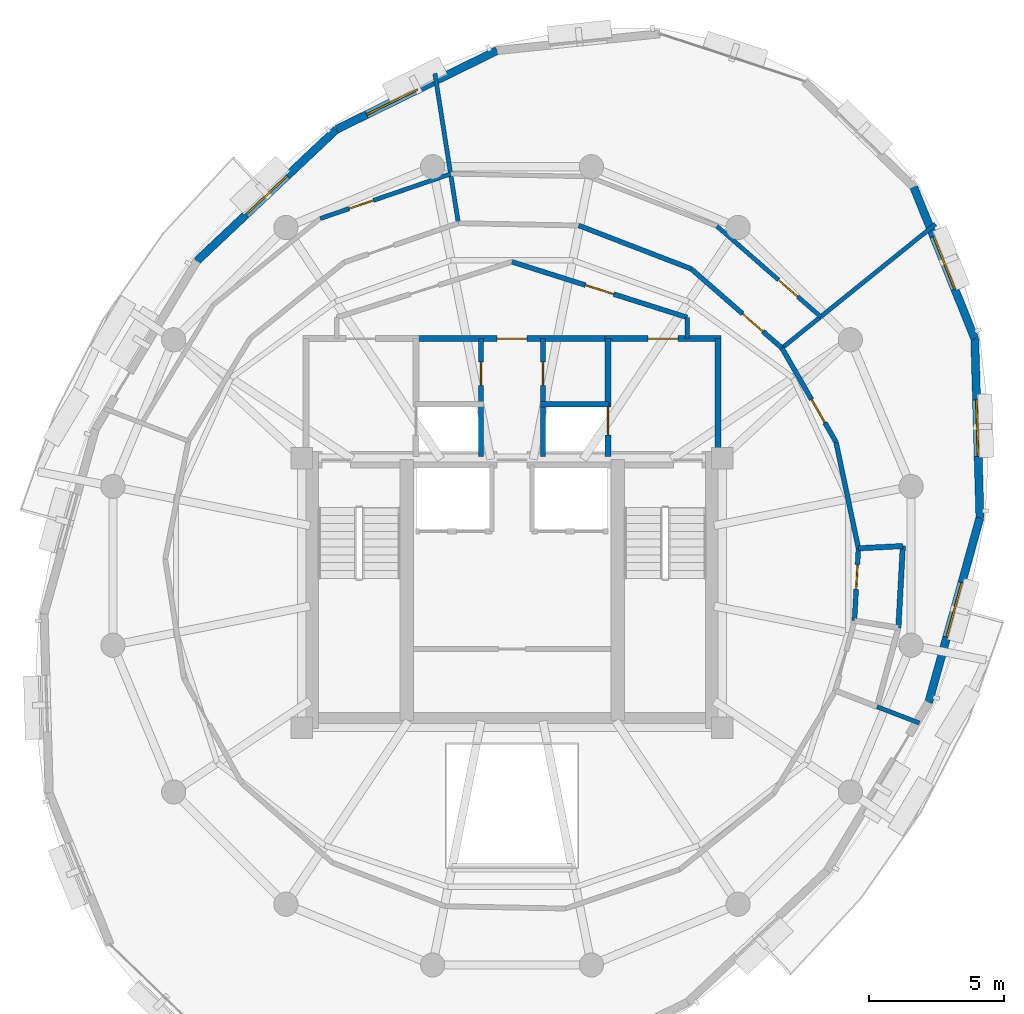
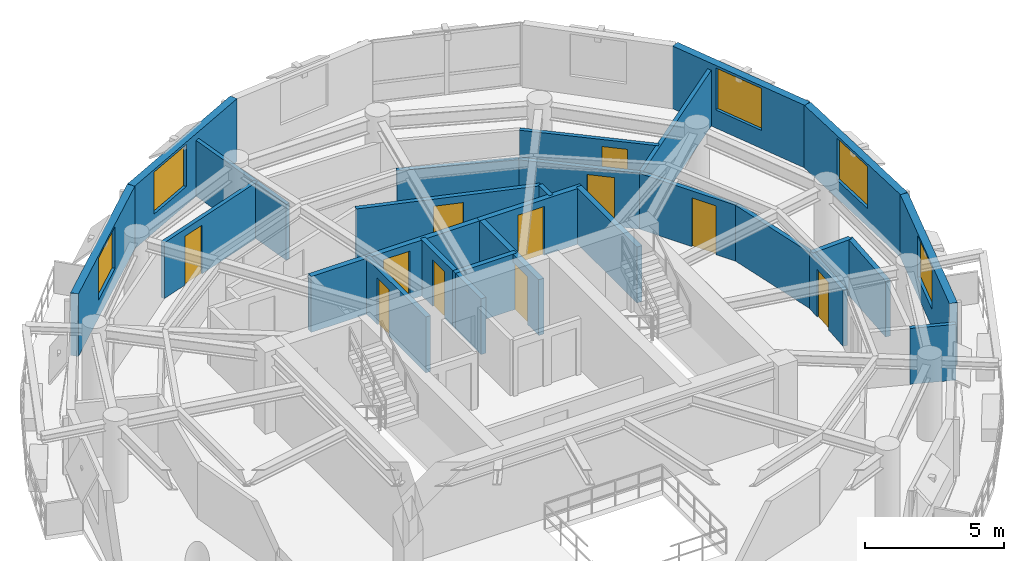
# One storey, part 8 of 11: 26 walls, 11 doors, 5 windows, 16 openings.
"""IFC4 building model written with IfcOpenShell, lengths in metres."""

from ifc_helpers import new_model, si_unit, direction, frame, frame_2d, origin, place, context, subcontext, project, spatial, rectangle, extrude, material, layer, layer_set, type_object, element, fill, save


model = new_model("IFC4")

# Units and contexts
model_context = context("Model", 3, precision=1e-05, world=origin(), true_north=direction((0.0, 1.0)))
body_context = subcontext(model_context, "Body", "Model", "MODEL_VIEW")
ifc_project = project(units=[si_unit("LENGTHUNIT", "METRE"), si_unit("AREAUNIT", "SQUARE_METRE"), si_unit("VOLUMEUNIT", "CUBIC_METRE"), si_unit("PLANEANGLEUNIT", "RADIAN"), si_unit("MASSUNIT", "GRAM", prefix="KILO"), si_unit("THERMODYNAMICTEMPERATUREUNIT", "KELVIN"), si_unit("POWERUNIT", "WATT")], contexts=[model_context])

# Site, building, storey
site_placement = place(None, origin())
site = spatial("IfcSite", under=ifc_project, at=site_placement, CompositionType="ELEMENT")
building_placement = place(site_placement, origin())
building = spatial("IfcBuilding", under=site, at=building_placement, Name="Ocrelia Relay Tower", CompositionType="ELEMENT")
storey_placement = place(building_placement, frame((0.0, 0.0, 273.60009765625)))
storey = spatial("IfcBuildingStorey", under=building, at=storey_placement, Name="L68", CompositionType="ELEMENT", Elevation=273.60009765625)

# Wall
ifc_material_1 = material(Name="Gypsum Fireboard Partition EI60", Category="gypsum")
ifc_layer_1 = layer(ifc_material_1, 0.179931640625, Name="Gypsum Fireboard Partition EI60")
ifc_layer_set_1 = layer_set([ifc_layer_1], Name="Gypsum Fireboard Partition EI60")
wall_type_1 = type_object("IfcWallType", Name="W-CORR-EI60-180", PredefinedType="PARTITIONING", material=ifc_layer_set_1)
wall_1_placement = place(storey_placement, frame((40.5, 35.218994140625, 0.0), z_axis=(0.0, 0.0, 1.0), x_axis=(0.0, -1.0, 0.0)))
element("IfcWall", 1, at=wall_1_placement, inside=storey, type_object=wall_type_1, Name="L68 Smoke Lobby East Return", PredefinedType="PARTITIONING", context=body_context, shape_type="SweptSolid", body=[
    extrude(rectangle(XDim=0.7890625, YDim=0.179931640625, at=frame_2d((0.39453125, 0.0))), origin(), (0.0, 0.0, 1.0), 2.4599609375),
])

# Wall, opening, door
wall_2_placement = place(storey_placement, frame((34.0, 37.280029296875, 0.0), z_axis=(0.0, 0.0, 1.0), x_axis=(0.953228121756, -0.302251795518, 0.0)))
wall_2 = element("IfcWall", 2, at=wall_2_placement, inside=storey, type_object=wall_type_1, Name="L68 North Smoke Lobby E Screen Wall", PredefinedType="PARTITIONING", context=body_context, shape_type="SweptSolid", body=[
    extrude(rectangle(XDim=6.81884765625, YDim=0.179931640625, at=frame_2d((3.409423828125, 0.0))), origin(), (0.0, 0.0, 1.0), 2.4599609375),
])
opening_1_placement = place(wall_2_placement, frame((2.859619140625, 0.0, 0.0)))
opening_1 = element("IfcOpeningElement", 3, at=opening_1_placement, cuts=wall_2, Name="Opening D-FD60", PredefinedType="OPENING", context=body_context, shape_type="SweptSolid", body=[
    extrude(rectangle(XDim=1.10009765625, YDim=2.14990234375, at=frame_2d((0.550048828125, 1.074951171875))), frame((0.0, 0.10009765625, 0.0), z_axis=(0.0, -1.0, 0.0), x_axis=(1.0, 0.0, 0.0)), (0.0, 0.0, 1.0), 0.199951171875),
])
ifc_material_2 = material(Name="Timber-core 60-min acoustic fire door", Category="wood")
door_type_1 = type_object("IfcDoorType", Name="DR-LOBBY-FD60-1100", OperationType="NOTDEFINED", PredefinedType="DOOR", material=ifc_material_2)
door_1_placement = place(opening_1_placement, origin())
door_1 = element("IfcDoor", 4, at=door_1_placement, inside=storey, type_object=door_type_1, Name="L68 North Smoke Lobby E Fire Door", OperationType="SINGLE_SWING_RIGHT", OverallHeight=2.14990234375, OverallWidth=1.10009765625, PredefinedType="DOOR", context=body_context, shape_type="SweptSolid", body=[
    extrude(rectangle(XDim=1.10009765625, YDim=2.14990234375, at=frame_2d((0.550048828125, 1.074951171875))), frame((0.0, 0.02490234375, 0.0), z_axis=(0.0, -1.0, 0.0), x_axis=(1.0, 0.0, 0.0)), (0.0, 0.0, 1.0), 0.050048828125),
])
fill(opening_1, door_1)

wall_3_placement = place(storey_placement, frame((46.7080078125, 23.964599609375, 0.0), z_axis=(0.0, 0.0, 1.0), x_axis=(0.054082853969, 0.998536451466, 0.0)))
wall_3 = element("IfcWall", 5, at=wall_3_placement, inside=storey, type_object=wall_type_1, Name="L68 Accessible Toilet Corridor Wall", PredefinedType="PARTITIONING", context=body_context, shape_type="SweptSolid", body=[
    extrude(rectangle(XDim=2.6904296875, YDim=0.179931640625, at=frame_2d((1.34521484375, 0.0))), origin(), (0.0, 0.0, 1.0), 2.4599609375),
])
opening_2_placement = place(wall_3_placement, frame((1.16748046875, 0.0, 0.0)))
opening_2 = element("IfcOpeningElement", 6, at=opening_2_placement, cuts=wall_3, Name="Opening D-WC92", PredefinedType="OPENING", context=body_context, shape_type="SweptSolid", body=[
    extrude(rectangle(XDim=0.919921875, YDim=2.10009765625, at=frame_2d((0.4599609375, 1.050048828125))), frame((0.0, 0.10009765625, 0.0), z_axis=(0.0, -1.0, 0.0), x_axis=(1.0, 0.0, 0.0)), (0.0, 0.0, 1.0), 0.199951171875),
])
ifc_material_3 = material(Name="Laminate washroom door", Category="wood")
door_type_2 = type_object("IfcDoorType", Name="DR-WC-920", OperationType="NOTDEFINED", PredefinedType="DOOR", material=ifc_material_3)
door_2_placement = place(opening_2_placement, origin())
door_2 = element("IfcDoor", 7, at=door_2_placement, inside=storey, type_object=door_type_2, Name="L68 Accessible Toilet Door", OperationType="SINGLE_SWING_RIGHT", OverallHeight=2.10009765625, OverallWidth=0.919921875, PredefinedType="DOOR", context=body_context, shape_type="SweptSolid", body=[
    extrude(rectangle(XDim=0.919921875, YDim=2.10009765625, at=frame_2d((0.4599609375, 1.050048828125))), frame((0.0, 0.02490234375, 0.0), z_axis=(0.0, -1.0, 0.0), x_axis=(1.0, 0.0, 0.0)), (0.0, 0.0, 1.0), 0.050048828125),
])
fill(opening_2, door_2)

# Wall
wall_4_placement = place(storey_placement, frame((46.853515625, 26.651123046875, 0.0), z_axis=(0.0, 0.0, 1.0), x_axis=(-0.206202981662, 0.978509238768, 0.0)))
element("IfcWall", 8, at=wall_4_placement, inside=storey, type_object=wall_type_1, Name="L68 RF Calibration Laboratory Corridor Partition 1", PredefinedType="PARTITIONING", context=body_context, shape_type="SweptSolid", body=[
    extrude(rectangle(XDim=4.026611328125, YDim=0.179931640625, at=frame_2d((2.01318359375, 0.0))), origin(), (0.0, 0.0, 1.0), 2.4599609375),
])

# Wall, opening, door
wall_5_placement = place(storey_placement, frame((46.023193359375, 30.59130859375, 0.0), z_axis=(0.0, 0.0, 1.0), x_axis=(-0.498481377227, 0.86690040752, 0.0)))
wall_5 = element("IfcWall", 9, at=wall_5_placement, inside=storey, type_object=wall_type_1, Name="L68 RF Calibration Laboratory Corridor Partition 2", PredefinedType="PARTITIONING", context=body_context, shape_type="SweptSolid", body=[
    extrude(rectangle(XDim=4.0263671875, YDim=0.179931640625, at=frame_2d((2.01318359375, 0.0))), origin(), (0.0, 0.0, 1.0), 2.4599609375),
])
opening_3_placement = place(wall_5_placement, frame((0.831787109375, 0.0, 0.0)))
opening_3 = element("IfcOpeningElement", 10, at=opening_3_placement, cuts=wall_5, Name="Opening D-RM100", PredefinedType="OPENING", context=body_context, shape_type="SweptSolid", body=[
    extrude(rectangle(XDim=1.0, YDim=2.14990234375, at=frame_2d((0.5, 1.074951171875))), frame((0.0, 0.10009765625, 0.0), z_axis=(0.0, -1.0, 0.0), x_axis=(1.0, 0.0, 0.0)), (0.0, 0.0, 1.0), 0.199951171875),
])
ifc_material_4 = material(Name="Acoustic oak veneer fire door", Category="wood")
door_type_3 = type_object("IfcDoorType", Name="DR-ROOM-FD60-1000", OperationType="NOTDEFINED", PredefinedType="DOOR", material=ifc_material_4)
door_3_placement = place(opening_3_placement, origin())
door_3 = element("IfcDoor", 11, at=door_3_placement, inside=storey, type_object=door_type_3, Name="L68 RF Calibration Laboratory Entrance Door", OperationType="SINGLE_SWING_LEFT", OverallHeight=2.14990234375, OverallWidth=1.0, PredefinedType="DOOR", context=body_context, shape_type="SweptSolid", body=[
    extrude(rectangle(XDim=1.0, YDim=2.14990234375, at=frame_2d((0.5, 1.074951171875))), frame((0.0, 0.02490234375, 0.0), z_axis=(0.0, -1.0, 0.0), x_axis=(1.0, 0.0, 0.0)), (0.0, 0.0, 1.0), 0.050048828125),
])
fill(opening_3, door_3)

wall_6_placement = place(storey_placement, frame((44.01611328125, 34.081787109375, 0.0), z_axis=(0.0, 0.0, 1.0), x_axis=(-0.753560422162, 0.657378650514, 0.0)))
wall_6 = element("IfcWall", 12, at=wall_6_placement, inside=storey, type_object=wall_type_1, Name="L68 Spectrum Metrology Lab Corridor Partition 1", PredefinedType="PARTITIONING", context=body_context, shape_type="SweptSolid", body=[
    extrude(rectangle(XDim=4.469970703125, YDim=0.179931640625, at=frame_2d((2.23486328125, 0.0))), origin(), (0.0, 0.0, 1.0), 2.4599609375),
])
opening_4_placement = place(wall_6_placement, frame((0.9423828125, 0.0, 0.0)))
opening_4 = element("IfcOpeningElement", 13, at=opening_4_placement, cuts=wall_6, Name="Opening D-RM100", PredefinedType="OPENING", context=body_context, shape_type="SweptSolid", body=[
    extrude(rectangle(XDim=1.0, YDim=2.14990234375, at=frame_2d((0.5, 1.074951171875))), frame((0.0, 0.10009765625, 0.0), z_axis=(0.0, -1.0, 0.0), x_axis=(1.0, 0.0, 0.0)), (0.0, 0.0, 1.0), 0.199951171875),
])
door_4_placement = place(opening_4_placement, origin())
door_4 = element("IfcDoor", 14, at=door_4_placement, inside=storey, type_object=door_type_3, Name="L68 Spectrum Metrology Lab Entrance Door", OperationType="SINGLE_SWING_RIGHT", OverallHeight=2.14990234375, OverallWidth=1.0, PredefinedType="DOOR", context=body_context, shape_type="SweptSolid", body=[
    extrude(rectangle(XDim=1.0, YDim=2.14990234375, at=frame_2d((0.5, 1.074951171875))), frame((0.0, 0.02490234375, 0.0), z_axis=(0.0, -1.0, 0.0), x_axis=(1.0, 0.0, 0.0)), (0.0, 0.0, 1.0), 0.050048828125),
])
fill(opening_4, door_4)

# Wall
wall_7_placement = place(storey_placement, frame((40.647705078125, 37.020263671875, 0.0), z_axis=(0.0, 0.0, 1.0), x_axis=(-0.932964972783, 0.359967164557, 0.0)))
element("IfcWall", 15, at=wall_7_placement, inside=storey, type_object=wall_type_1, Name="L68 Spectrum Metrology Lab Corridor Partition 2", PredefinedType="PARTITIONING", context=body_context, shape_type="SweptSolid", body=[
    extrude(rectangle(XDim=4.469482421875, YDim=0.179931640625, at=frame_2d((2.23486328125, 0.0))), origin(), (0.0, 0.0, 1.0), 2.4599609375),
])

# Wall, opening, window
ifc_material_5 = material(Name="Precast concrete C40/50 with oxide terracotta", Category="masonry")
ifc_layer_2 = layer(ifc_material_5, 0.300048828125, Name="Precast concrete C40/50 with oxide terracotta")
ifc_layer_set_2 = layer_set([ifc_layer_2], Name="Precast concrete C40/50 with oxide terracotta")
wall_type_2 = type_object("IfcWallType", Name="W-EXT-TERR-300", PredefinedType="SOLIDWALL", material=ifc_layer_set_2)
wall_8_placement = place(storey_placement, frame((33.447998046875, 45.120361328125, 0.0), z_axis=(0.0, 0.0, 1.0), x_axis=(-0.897666817596, -0.440674805936, 0.0)))
wall_8 = element("IfcWall", 16, at=wall_8_placement, inside=storey, type_object=wall_type_2, Name="L68 Oxide Terracotta Facade Wall 03", PredefinedType="SOLIDWALL", context=body_context, shape_type="SweptSolid", body=[
    extrude(rectangle(XDim=6.643310546875, YDim=0.300048828125, at=frame_2d((3.32177734375, 0.0))), origin(), (0.0, 0.0, 1.0), 2.760009765625),
])
opening_5_placement = place(wall_8_placement, frame((3.2919921875, 0.0, 0.800048828125)))
opening_5 = element("IfcOpeningElement", 17, at=opening_5_placement, cuts=wall_8, Name="Opening W-07", PredefinedType="OPENING", context=body_context, shape_type="SweptSolid", body=[
    extrude(rectangle(XDim=2.10009765625, YDim=1.85009765625, at=frame_2d((1.050048828125, 0.925048828125))), frame((0.0, 0.16015625, 0.0), z_axis=(0.0, -1.0, 0.0), x_axis=(1.0, 0.0, 0.0)), (0.0, 0.0, 1.0), 0.320068359375),
])
ifc_material_6 = material(Name="Clear double-glazed low-E glass", Category="glass")
window_type = type_object("IfcWindowType", Name="WIN-Z4-2100x2200", PartitioningType="DOUBLE_PANEL_VERTICAL", PredefinedType="WINDOW", material=ifc_material_6)
window_1_placement = place(opening_5_placement, origin())
window_1 = element("IfcWindow", 18, at=window_1_placement, inside=storey, type_object=window_type, Name="L68 Facade Module Window 03", OverallHeight=1.85009765625, OverallWidth=2.10009765625, PartitioningType="SINGLE_PANEL", PredefinedType="WINDOW", context=body_context, shape_type="SweptSolid", body=[
    extrude(rectangle(XDim=2.10009765625, YDim=1.85009765625, at=frame_2d((1.050048828125, 0.925048828125))), frame((0.0, 0.030029296875, 0.0), z_axis=(0.0, -1.0, 0.0), x_axis=(1.0, 0.0, 0.0)), (0.0, 0.0, 1.0), 0.06005859375),
])
fill(opening_5, window_1)

wall_9_placement = place(storey_placement, frame((27.484619140625, 42.19287109375, 0.0), z_axis=(0.0, 0.0, 1.0), x_axis=(-0.727660844175, -0.685937093219, 0.0)))
wall_9 = element("IfcWall", 19, at=wall_9_placement, inside=storey, type_object=wall_type_2, Name="L68 Oxide Terracotta Facade Wall 04", PredefinedType="SOLIDWALL", context=body_context, shape_type="SweptSolid", body=[
    extrude(rectangle(XDim=7.115234375, YDim=0.300048828125, at=frame_2d((3.5576171875, 0.0))), origin(), (0.0, 0.0, 1.0), 2.760009765625),
])
opening_6_placement = place(wall_9_placement, frame((2.508056640625, 0.0, 0.800048828125)))
opening_6 = element("IfcOpeningElement", 20, at=opening_6_placement, cuts=wall_9, Name="Opening W-07", PredefinedType="OPENING", context=body_context, shape_type="SweptSolid", body=[
    extrude(rectangle(XDim=2.10009765625, YDim=1.85009765625, at=frame_2d((1.050048828125, 0.925048828125))), frame((0.0, 0.16015625, 0.0), z_axis=(0.0, -1.0, 0.0), x_axis=(1.0, 0.0, 0.0)), (0.0, 0.0, 1.0), 0.320068359375),
])
window_2_placement = place(opening_6_placement, origin())
window_2 = element("IfcWindow", 21, at=window_2_placement, inside=storey, type_object=window_type, Name="L68 Facade Module Window 04", OverallHeight=1.85009765625, OverallWidth=2.10009765625, PartitioningType="SINGLE_PANEL", PredefinedType="WINDOW", context=body_context, shape_type="SweptSolid", body=[
    extrude(rectangle(XDim=2.10009765625, YDim=1.85009765625, at=frame_2d((1.050048828125, 0.925048828125))), frame((0.0, 0.030029296875, 0.0), z_axis=(0.0, -1.0, 0.0), x_axis=(1.0, 0.0, 0.0)), (0.0, 0.0, 1.0), 0.06005859375),
])
fill(opening_6, window_2)

wall_10_placement = place(storey_placement, frame((49.460205078125, 20.9326171875, 0.0), z_axis=(0.0, 0.0, 1.0), x_axis=(0.267362470767, 0.963596030101, 0.0)))
wall_10 = element("IfcWall", 22, at=wall_10_placement, inside=storey, type_object=wall_type_2, Name="L68 Oxide Terracotta Facade Wall 15", PredefinedType="SOLIDWALL", context=body_context, shape_type="SweptSolid", body=[
    extrude(rectangle(XDim=7.115234375, YDim=0.300048828125, at=frame_2d((3.5576171875, 0.0))), origin(), (0.0, 0.0, 1.0), 2.760009765625),
])
opening_7_placement = place(wall_10_placement, frame((2.508056640625, 0.0, 0.800048828125)))
opening_7 = element("IfcOpeningElement", 23, at=opening_7_placement, cuts=wall_10, Name="Opening W-07", PredefinedType="OPENING", context=body_context, shape_type="SweptSolid", body=[
    extrude(rectangle(XDim=2.10009765625, YDim=1.85009765625, at=frame_2d((1.050048828125, 0.925048828125))), frame((0.0, 0.16015625, 0.0), z_axis=(0.0, -1.0, 0.0), x_axis=(1.0, 0.0, 0.0)), (0.0, 0.0, 1.0), 0.320068359375),
])
window_3_placement = place(opening_7_placement, origin())
window_3 = element("IfcWindow", 24, at=window_3_placement, inside=storey, type_object=window_type, Name="L68 Facade Module Window 15", OverallHeight=1.85009765625, OverallWidth=2.10009765625, PartitioningType="SINGLE_PANEL", PredefinedType="WINDOW", context=body_context, shape_type="SweptSolid", body=[
    extrude(rectangle(XDim=2.10009765625, YDim=1.85009765625, at=frame_2d((1.050048828125, 0.925048828125))), frame((0.0, 0.030029296875, 0.0), z_axis=(0.0, -1.0, 0.0), x_axis=(1.0, 0.0, 0.0)), (0.0, 0.0, 1.0), 0.06005859375),
])
fill(opening_7, window_3)

wall_11_placement = place(storey_placement, frame((51.362548828125, 27.788818359375, 0.0), z_axis=(0.0, 0.0, 1.0), x_axis=(-0.028849342267, 0.999583771102, 0.0)))
wall_11 = element("IfcWall", 25, at=wall_11_placement, inside=storey, type_object=wall_type_2, Name="L68 Oxide Terracotta Facade Wall 16", PredefinedType="SOLIDWALL", context=body_context, shape_type="SweptSolid", body=[
    extrude(rectangle(XDim=6.64306640625, YDim=0.300048828125, at=frame_2d((3.321533203125, 0.0))), origin(), (0.0, 0.0, 1.0), 2.760009765625),
])
opening_8_placement = place(wall_11_placement, frame((2.27197265625, 0.0, 0.800048828125)))
opening_8 = element("IfcOpeningElement", 26, at=opening_8_placement, cuts=wall_11, Name="Opening W-07", PredefinedType="OPENING", context=body_context, shape_type="SweptSolid", body=[
    extrude(rectangle(XDim=2.10009765625, YDim=1.85009765625, at=frame_2d((1.050048828125, 0.925048828125))), frame((0.0, 0.16015625, 0.0), z_axis=(0.0, -1.0, 0.0), x_axis=(1.0, 0.0, 0.0)), (0.0, 0.0, 1.0), 0.320068359375),
])
window_4_placement = place(opening_8_placement, origin())
window_4 = element("IfcWindow", 27, at=window_4_placement, inside=storey, type_object=window_type, Name="L68 Facade Module Window 16", OverallHeight=1.85009765625, OverallWidth=2.10009765625, PartitioningType="SINGLE_PANEL", PredefinedType="WINDOW", context=body_context, shape_type="SweptSolid", body=[
    extrude(rectangle(XDim=2.10009765625, YDim=1.85009765625, at=frame_2d((1.050048828125, 0.925048828125))), frame((0.0, 0.030029296875, 0.0), z_axis=(0.0, -1.0, 0.0), x_axis=(1.0, 0.0, 0.0)), (0.0, 0.0, 1.0), 0.06005859375),
])
fill(opening_8, window_4)

wall_12_placement = place(storey_placement, frame((51.1708984375, 34.42919921875, 0.0), z_axis=(0.0, 0.0, 1.0), x_axis=(-0.373264770135, 0.927724857582, 0.0)))
wall_12 = element("IfcWall", 28, at=wall_12_placement, inside=storey, type_object=wall_type_2, Name="L68 Oxide Terracotta Facade Wall 17", PredefinedType="SOLIDWALL", context=body_context, shape_type="SweptSolid", body=[
    extrude(rectangle(XDim=6.06201171875, YDim=0.300048828125, at=frame_2d((3.031005859375, 0.0))), origin(), (0.0, 0.0, 1.0), 2.760009765625),
])
opening_9_placement = place(wall_12_placement, frame((1.98095703125, 0.0, 0.800048828125)))
opening_9 = element("IfcOpeningElement", 29, at=opening_9_placement, cuts=wall_12, Name="Opening W-07", PredefinedType="OPENING", context=body_context, shape_type="SweptSolid", body=[
    extrude(rectangle(XDim=2.10009765625, YDim=1.85009765625, at=frame_2d((1.050048828125, 0.925048828125))), frame((0.0, 0.16015625, 0.0), z_axis=(0.0, -1.0, 0.0), x_axis=(1.0, 0.0, 0.0)), (0.0, 0.0, 1.0), 0.320068359375),
])
window_5_placement = place(opening_9_placement, origin())
window_5 = element("IfcWindow", 30, at=window_5_placement, inside=storey, type_object=window_type, Name="L68 Facade Module Window 17", OverallHeight=1.85009765625, OverallWidth=2.10009765625, PartitioningType="SINGLE_PANEL", PredefinedType="WINDOW", context=body_context, shape_type="SweptSolid", body=[
    extrude(rectangle(XDim=2.10009765625, YDim=1.85009765625, at=frame_2d((1.050048828125, 0.925048828125))), frame((0.0, 0.030029296875, 0.0), z_axis=(0.0, -1.0, 0.0), x_axis=(1.0, 0.0, 0.0)), (0.0, 0.0, 1.0), 0.06005859375),
])
fill(opening_9, window_5)

# Wall, opening, door
ifc_material_7 = material(Name="Concrete C50/60", Category="concrete")
ifc_layer_3 = layer(ifc_material_7, 0.219970703125, Name="Concrete C50/60")
ifc_layer_set_3 = layer_set([ifc_layer_3], Name="Concrete C50/60")
wall_type_3 = type_object("IfcWallType", Name="W-FFL-EI120-220", PredefinedType="SOLIDWALL", material=ifc_layer_set_3)
wall_13_placement = place(storey_placement, frame((37.56005859375, 30.050048828125, 0.0), z_axis=(0.0, 0.0, 1.0), x_axis=(0.0, 1.0, 0.0)))
wall_13 = element("IfcWall", 31, at=wall_13_placement, inside=storey, type_object=wall_type_3, Name="L68 E Fire Service Lift Lobby West Wall", PredefinedType="SOLIDWALL", context=body_context, shape_type="SweptSolid", body=[
    extrude(rectangle(XDim=4.3798828125, YDim=0.219970703125, at=frame_2d((2.18994140625, 0.0))), origin(), (0.0, 0.0, 1.0), 2.4599609375),
])
opening_10_placement = place(wall_13_placement, frame((0.800048828125, 0.0, 0.0)))
opening_10 = element("IfcOpeningElement", 32, at=opening_10_placement, cuts=wall_13, Name="Opening LD-FFL2", PredefinedType="OPENING", context=body_context, shape_type="SweptSolid", body=[
    extrude(rectangle(XDim=1.050048828125, YDim=2.10009765625, at=frame_2d((0.52490234375, 1.050048828125))), frame((0.0, 0.1201171875, 0.0), z_axis=(0.0, -1.0, 0.0), x_axis=(1.0, 0.0, 0.0)), (0.0, 0.0, 1.0), 0.239990234375),
])
ifc_material_8 = material(Name="Brushed stainless steel S355 lift landing door", Category="steel")
door_type_4 = type_object("IfcDoorType", Name="DR-LIFT-LAND-1050", OperationType="DOUBLE_DOOR_SLIDING", PredefinedType="USERDEFINED", material=ifc_material_8)
door_5_placement = place(opening_10_placement, origin())
door_5 = element("IfcDoor", 33, at=door_5_placement, inside=storey, type_object=door_type_4, Name="L68 Firefighting Lift FFL2 Sliding Landing Door", ObjectType="LANDING DOOR", OperationType="DOUBLE_DOOR_SLIDING", OverallHeight=2.10009765625, OverallWidth=1.050048828125, PredefinedType="USERDEFINED", context=body_context, shape_type="SweptSolid", body=[
    extrude(rectangle(XDim=1.050048828125, YDim=2.10009765625, at=frame_2d((0.52490234375, 1.050048828125))), frame((0.0, 0.02490234375, 0.0), z_axis=(0.0, -1.0, 0.0), x_axis=(1.0, 0.0, 0.0)), (0.0, 0.0, 1.0), 0.050048828125),
])
fill(opening_10, door_5)

# Wall
wall_14_placement = place(storey_placement, frame((41.64990234375, 30.050048828125, 0.0), z_axis=(0.0, 0.0, 1.0), x_axis=(0.0, 1.0, 0.0)))
element("IfcWall", 34, at=wall_14_placement, inside=storey, type_object=wall_type_3, Name="L68 E Fire Service Lift Lobby East Wall", PredefinedType="SOLIDWALL", context=body_context, shape_type="SweptSolid", body=[
    extrude(rectangle(XDim=4.3798828125, YDim=0.219970703125, at=frame_2d((2.18994140625, 0.0))), origin(), (0.0, 0.0, 1.0), 2.4599609375),
])

# Wall, opening, door
wall_15_placement = place(storey_placement, frame((37.449951171875, 34.429931640625, 0.0), z_axis=(0.0, 0.0, 1.0), x_axis=(1.0, 0.0, 0.0)))
wall_15 = element("IfcWall", 35, at=wall_15_placement, inside=storey, type_object=wall_type_3, Name="L68 E Fire Service Lift Lobby North Wall", PredefinedType="SOLIDWALL", context=body_context, shape_type="SweptSolid", body=[
    extrude(rectangle(XDim=4.31005859375, YDim=0.219970703125, at=frame_2d((2.155029296875, 0.0))), origin(), (0.0, 0.0, 1.0), 2.4599609375),
])
opening_11_placement = place(wall_15_placement, frame((1.60009765625, 0.0, 0.0)))
opening_11 = element("IfcOpeningElement", 36, at=opening_11_placement, cuts=wall_15, Name="Opening D-FD60", PredefinedType="OPENING", context=body_context, shape_type="SweptSolid", body=[
    extrude(rectangle(XDim=1.10009765625, YDim=2.14990234375, at=frame_2d((0.550048828125, 1.074951171875))), frame((0.0, 0.1201171875, 0.0), z_axis=(0.0, -1.0, 0.0), x_axis=(1.0, 0.0, 0.0)), (0.0, 0.0, 1.0), 0.239990234375),
])
door_6_placement = place(opening_11_placement, origin())
door_6 = element("IfcDoor", 37, at=door_6_placement, inside=storey, type_object=door_type_1, Name="L68 E Fire Service Lift Lobby Exit Door", OperationType="SINGLE_SWING_LEFT", OverallHeight=2.14990234375, OverallWidth=1.10009765625, PredefinedType="DOOR", context=body_context, shape_type="SweptSolid", body=[
    extrude(rectangle(XDim=1.10009765625, YDim=2.14990234375, at=frame_2d((0.550048828125, 1.074951171875))), frame((0.0, 0.02490234375, 0.0), z_axis=(0.0, -1.0, 0.0), x_axis=(1.0, 0.0, 0.0)), (0.0, 0.0, 1.0), 0.050048828125),
])
fill(opening_11, door_6)

wall_16_placement = place(storey_placement, frame((30.43994140625, 34.429931640625, 0.0), z_axis=(0.0, 0.0, 1.0), x_axis=(1.0, 0.0, 0.0)))
wall_16 = element("IfcWall", 38, at=wall_16_placement, inside=storey, type_object=wall_type_3, Name="L68 North Core Vestibule Wall", PredefinedType="SOLIDWALL", context=body_context, shape_type="SweptSolid", body=[
    extrude(rectangle(XDim=7.1201171875, YDim=0.219970703125, at=frame_2d((3.56005859375, 0.0))), origin(), (0.0, 0.0, 1.0), 2.4599609375),
])
opening_12_placement = place(wall_16_placement, frame((3.010009765625, 0.0, 0.0)))
opening_12 = element("IfcOpeningElement", 39, at=opening_12_placement, cuts=wall_16, Name="Opening D-FD60", PredefinedType="OPENING", context=body_context, shape_type="SweptSolid", body=[
    extrude(rectangle(XDim=1.10009765625, YDim=2.14990234375, at=frame_2d((0.550048828125, 1.074951171875))), frame((0.0, 0.1201171875, 0.0), z_axis=(0.0, -1.0, 0.0), x_axis=(1.0, 0.0, 0.0)), (0.0, 0.0, 1.0), 0.239990234375),
])
door_7_placement = place(opening_12_placement, origin())
door_7 = element("IfcDoor", 40, at=door_7_placement, inside=storey, type_object=door_type_1, Name="L68 North Core Vestibule Corridor Door", OperationType="SINGLE_SWING_LEFT", OverallHeight=2.14990234375, OverallWidth=1.10009765625, PredefinedType="DOOR", context=body_context, shape_type="SweptSolid", body=[
    extrude(rectangle(XDim=1.10009765625, YDim=2.14990234375, at=frame_2d((0.550048828125, 1.074951171875))), frame((0.0, 0.02490234375, 0.0), z_axis=(0.0, -1.0, 0.0), x_axis=(1.0, 0.0, 0.0)), (0.0, 0.0, 1.0), 0.050048828125),
])
fill(opening_12, door_7)

# Walls
ifc_material_9 = material(Name="Acoustic Fireboard Partition EI60", Category="gypsum")
ifc_layer_4 = layer(ifc_material_9, 0.159912109375, Name="Acoustic Fireboard Partition EI60")
ifc_layer_set_4 = layer_set([ifc_layer_4], Name="Acoustic Fireboard Partition EI60")
wall_type_4 = type_object("IfcWallType", Name="W-PART-160", PredefinedType="PARTITIONING", material=ifc_layer_set_4)
wall_17_placement = place(storey_placement, frame((47.54638671875, 20.772705078125, 0.0), z_axis=(0.0, 0.0, 1.0), x_axis=(0.932993298488, -0.359893741229, 0.0)))
element("IfcWall", 41, at=wall_17_placement, inside=storey, type_object=wall_type_4, Name="L68 RF Calibration Laboratory Radial Partition", PredefinedType="PARTITIONING", context=body_context, shape_type="SweptSolid", body=[
    extrude(rectangle(XDim=1.680908203125, YDim=0.159912109375, at=frame_2d((0.84033203125, 0.0))), origin(), (0.0, 0.0, 1.0), 2.4599609375),
])
wall_18_placement = place(storey_placement, frame((44.01611328125, 34.081787109375, 0.0), z_axis=(0.0, 0.0, 1.0), x_axis=(0.778218955655, 0.627993039021, 0.0)))
element("IfcWall", 42, at=wall_18_placement, inside=storey, type_object=wall_type_4, Name="L68 RF Calibration Laboratory Radial Partition", PredefinedType="PARTITIONING", context=body_context, shape_type="SweptSolid", body=[
    extrude(rectangle(XDim=7.318115234375, YDim=0.159912109375, at=frame_2d((3.6591796875, 0.0))), origin(), (0.0, 0.0, 1.0), 2.4599609375),
])
wall_19_placement = place(storey_placement, frame((32.0087890625, 38.715087890625, 0.0), z_axis=(0.0, 0.0, 1.0), x_axis=(-0.154706776943, 0.987960430973, 0.0)))
element("IfcWall", 43, at=wall_19_placement, inside=storey, type_object=wall_type_4, Name="L68 Spectrum Metrology Lab Radial Partition", PredefinedType="PARTITIONING", context=body_context, shape_type="SweptSolid", body=[
    extrude(rectangle(XDim=5.62109375, YDim=0.159912109375, at=frame_2d((2.810546875, 0.0))), origin(), (0.0, 0.0, 1.0), 2.4599609375),
])

# Wall, opening, door
wall_20_placement = place(storey_placement, frame((45.455810546875, 35.24365234375, 0.0), z_axis=(0.0, 0.0, 1.0), x_axis=(-0.753561003445, 0.657377984182, 0.0)))
wall_20 = element("IfcWall", 44, at=wall_20_placement, inside=storey, type_object=wall_type_4, Name="L68 Perimeter Spectrum Metrology Lab Mid-Ring Partition 1", PredefinedType="PARTITIONING", context=body_context, shape_type="SweptSolid", body=[
    extrude(rectangle(XDim=5.112060546875, YDim=0.159912109375, at=frame_2d((2.55615234375, 0.0))), origin(), (0.0, 0.0, 1.0), 2.4599609375),
])
opening_13_placement = place(wall_20_placement, frame((1.130615234375, 0.0, 0.0)))
opening_13 = element("IfcOpeningElement", 45, at=opening_13_placement, cuts=wall_20, Name="Opening D-RM95", PredefinedType="OPENING", context=body_context, shape_type="SweptSolid", body=[
    extrude(rectangle(XDim=0.949951171875, YDim=2.14990234375, at=frame_2d((0.47509765625, 1.074951171875))), frame((0.0, 0.08984375, 0.0), z_axis=(0.0, -1.0, 0.0), x_axis=(1.0, 0.0, 0.0)), (0.0, 0.0, 1.0), 0.179931640625),
])
door_type_5 = type_object("IfcDoorType", Name="DR-ROOM-950", OperationType="NOTDEFINED", PredefinedType="DOOR", material=ifc_material_4)
door_8_placement = place(opening_13_placement, origin())
door_8 = element("IfcDoor", 46, at=door_8_placement, inside=storey, type_object=door_type_5, Name="L68 Perimeter Spectrum Metrology Lab Connecting Door", OperationType="SINGLE_SWING_LEFT", OverallHeight=2.14990234375, OverallWidth=0.949951171875, PredefinedType="DOOR", context=body_context, shape_type="SweptSolid", body=[
    extrude(rectangle(XDim=0.949951171875, YDim=2.14990234375, at=frame_2d((0.47509765625, 1.074951171875))), frame((0.0, 0.02490234375, 0.0), z_axis=(0.0, -1.0, 0.0), x_axis=(1.0, 0.0, 0.0)), (0.0, 0.0, 1.0), 0.050048828125),
])
fill(opening_13, door_8)

wall_21_placement = place(storey_placement, frame((31.72265625, 40.542724609375, 0.0), z_axis=(0.0, 0.0, 1.0), x_axis=(-0.946082744304, -0.323925054496, 0.0)))
wall_21 = element("IfcWall", 47, at=wall_21_placement, inside=storey, type_object=wall_type_4, Name="L68 Perimeter Antenna Chamber Studio Mid-Ring Partition 1", PredefinedType="PARTITIONING", context=body_context, shape_type="SweptSolid", body=[
    extrude(rectangle(XDim=5.1123046875, YDim=0.159912109375, at=frame_2d((2.55615234375, 0.0))), origin(), (0.0, 0.0, 1.0), 2.4599609375),
])
opening_14_placement = place(wall_21_placement, frame((3.03173828125, 0.0, 0.0)))
opening_14 = element("IfcOpeningElement", 48, at=opening_14_placement, cuts=wall_21, Name="Opening D-RM95", PredefinedType="OPENING", context=body_context, shape_type="SweptSolid", body=[
    extrude(rectangle(XDim=0.949951171875, YDim=2.14990234375, at=frame_2d((0.47509765625, 1.074951171875))), frame((0.0, 0.08984375, 0.0), z_axis=(0.0, -1.0, 0.0), x_axis=(1.0, 0.0, 0.0)), (0.0, 0.0, 1.0), 0.179931640625),
])
door_9_placement = place(opening_14_placement, origin())
door_9 = element("IfcDoor", 49, at=door_9_placement, inside=storey, type_object=door_type_5, Name="L68 Perimeter Antenna Chamber Studio Connecting Door", OperationType="SINGLE_SWING_LEFT", OverallHeight=2.14990234375, OverallWidth=0.949951171875, PredefinedType="DOOR", context=body_context, shape_type="SweptSolid", body=[
    extrude(rectangle(XDim=0.949951171875, YDim=2.14990234375, at=frame_2d((0.47509765625, 1.074951171875))), frame((0.0, 0.02490234375, 0.0), z_axis=(0.0, -1.0, 0.0), x_axis=(1.0, 0.0, 0.0)), (0.0, 0.0, 1.0), 0.050048828125),
])
fill(opening_14, door_9)

# Walls
ifc_material_10 = material(Name="Moisture-Resistant Fireboard Chase Wall EI60", Category="gypsum")
ifc_layer_5 = layer(ifc_material_10, 0.199951171875, Name="Moisture-Resistant Fireboard Chase Wall EI60")
ifc_layer_set_5 = layer_set([ifc_layer_5], Name="Moisture-Resistant Fireboard Chase Wall EI60")
wall_type_5 = type_object("IfcWallType", Name="W-PLUMB-200", PredefinedType="PLUMBINGWALL", material=ifc_layer_set_5)
wall_22_placement = place(storey_placement, frame((46.853515625, 26.651123046875, 0.0), z_axis=(0.0, 0.0, 1.0), x_axis=(0.998718910442, 0.050601758129, 0.0)))
element("IfcWall", 50, at=wall_22_placement, inside=storey, type_object=wall_type_5, Name="L68 Accessible Toilet Plumbing Radial Wall", PredefinedType="PLUMBINGWALL", context=body_context, shape_type="SweptSolid", body=[
    extrude(rectangle(XDim=1.650146484375, YDim=0.199951171875, at=frame_2d((0.8251953125, 0.0))), origin(), (0.0, 0.0, 1.0), 2.4599609375),
])
wall_23_placement = place(storey_placement, frame((48.337158203125, 23.70361328125, 0.0), z_axis=(0.0, 0.0, 1.0), x_axis=(0.054129145689, 0.998533943132, 0.0)))
element("IfcWall", 51, at=wall_23_placement, inside=storey, type_object=wall_type_5, Name="L68 Accessible Toilet Back Plumbing Wall", PredefinedType="PLUMBINGWALL", context=body_context, shape_type="SweptSolid", body=[
    extrude(rectangle(XDim=3.035400390625, YDim=0.199951171875, at=frame_2d((1.517578125, 0.0))), origin(), (0.0, 0.0, 1.0), 2.4599609375),
])

# Wall, opening, door
ifc_layer_6 = layer(ifc_material_7, 0.199951171875, Name="Concrete C50/60")
ifc_layer_set_6 = layer_set([ifc_layer_6], Name="Concrete C50/60")
wall_type_6 = type_object("IfcWallType", Name="W-SHAFT-EI120-200", PredefinedType="SOLIDWALL", material=ifc_layer_set_6)
wall_24_placement = place(storey_placement, frame((32.85009765625, 30.050048828125, 0.0), z_axis=(0.0, 0.0, 1.0), x_axis=(0.0, 1.0, 0.0)))
wall_24 = element("IfcWall", 52, at=wall_24_placement, inside=storey, type_object=wall_type_6, Name="L68 FFL1 and Service Vestibule Wall", PredefinedType="SOLIDWALL", context=body_context, shape_type="SweptSolid", body=[
    extrude(rectangle(XDim=4.3798828125, YDim=0.199951171875, at=frame_2d((2.18994140625, 0.0))), origin(), (0.0, 0.0, 1.0), 2.4599609375),
])
opening_15_placement = place(wall_24_placement, frame((2.64990234375, 0.0, 0.0)))
opening_15 = element("IfcOpeningElement", 53, at=opening_15_placement, cuts=wall_24, Name="Opening D-RS86", PredefinedType="OPENING", context=body_context, shape_type="SweptSolid", body=[
    extrude(rectangle(XDim=0.860107421875, YDim=2.050048828125, at=frame_2d((0.43017578125, 1.02490234375))), frame((0.0, 0.10986328125, 0.0), z_axis=(0.0, -1.0, 0.0), x_axis=(1.0, 0.0, 0.0)), (0.0, 0.0, 1.0), 0.219970703125),
])
ifc_material_11 = material(Name="Steel S355 riser access fire door", Category="steel")
door_type_6 = type_object("IfcDoorType", Name="DR-RISER-TRAP-860", OperationType="NOTDEFINED", PredefinedType="TRAPDOOR", material=ifc_material_11)
door_10_placement = place(opening_15_placement, origin())
door_10 = element("IfcDoor", 54, at=door_10_placement, inside=storey, type_object=door_type_6, Name="L68 Core Support Room W Door", OperationType="SINGLE_SWING_RIGHT", OverallHeight=2.050048828125, OverallWidth=0.860107421875, PredefinedType="TRAPDOOR", context=body_context, shape_type="SweptSolid", body=[
    extrude(rectangle(XDim=0.860107421875, YDim=2.050048828125, at=frame_2d((0.43017578125, 1.02490234375))), frame((0.0, 0.02490234375, 0.0), z_axis=(0.0, -1.0, 0.0), x_axis=(1.0, 0.0, 0.0)), (0.0, 0.0, 1.0), 0.050048828125),
])
fill(opening_15, door_10)

# Wall
wall_25_placement = place(storey_placement, frame((35.050048828125, 32.0, 0.0), z_axis=(0.0, 0.0, 1.0), x_axis=(1.0, 0.0, 0.0)))
element("IfcWall", 55, at=wall_25_placement, inside=storey, type_object=wall_type_6, Name="L68 FFL2 Hoistway North Wall", PredefinedType="SOLIDWALL", context=body_context, shape_type="SweptSolid", body=[
    extrude(rectangle(XDim=2.550048828125, YDim=0.199951171875, at=frame_2d((1.27490234375, 0.0))), origin(), (0.0, 0.0, 1.0), 2.4599609375),
])

# Wall, opening, door
wall_26_placement = place(storey_placement, frame((35.14990234375, 30.050048828125, 0.0), z_axis=(0.0, 0.0, 1.0), x_axis=(0.0, 1.0, 0.0)))
wall_26 = element("IfcWall", 56, at=wall_26_placement, inside=storey, type_object=wall_type_6, Name="L68 FFL2 and Service Vestibule Wall", PredefinedType="SOLIDWALL", context=body_context, shape_type="SweptSolid", body=[
    extrude(rectangle(XDim=4.3798828125, YDim=0.199951171875, at=frame_2d((2.18994140625, 0.0))), origin(), (0.0, 0.0, 1.0), 2.4599609375),
])
opening_16_placement = place(wall_26_placement, frame((2.64990234375, 0.0, 0.0)))
opening_16 = element("IfcOpeningElement", 57, at=opening_16_placement, cuts=wall_26, Name="Opening D-RS86", PredefinedType="OPENING", context=body_context, shape_type="SweptSolid", body=[
    extrude(rectangle(XDim=0.860107421875, YDim=2.050048828125, at=frame_2d((0.43017578125, 1.02490234375))), frame((0.0, 0.10986328125, 0.0), z_axis=(0.0, -1.0, 0.0), x_axis=(1.0, 0.0, 0.0)), (0.0, 0.0, 1.0), 0.219970703125),
])
door_11_placement = place(opening_16_placement, origin())
door_11 = element("IfcDoor", 58, at=door_11_placement, inside=storey, type_object=door_type_6, Name="L68 Core Support Room E Door", OperationType="SINGLE_SWING_RIGHT", OverallHeight=2.050048828125, OverallWidth=0.860107421875, PredefinedType="TRAPDOOR", context=body_context, shape_type="SweptSolid", body=[
    extrude(rectangle(XDim=0.860107421875, YDim=2.050048828125, at=frame_2d((0.43017578125, 1.02490234375))), frame((0.0, 0.02490234375, 0.0), z_axis=(0.0, -1.0, 0.0), x_axis=(1.0, 0.0, 0.0)), (0.0, 0.0, 1.0), 0.050048828125),
])
fill(opening_16, door_11)

save(model, "model.ifc")
